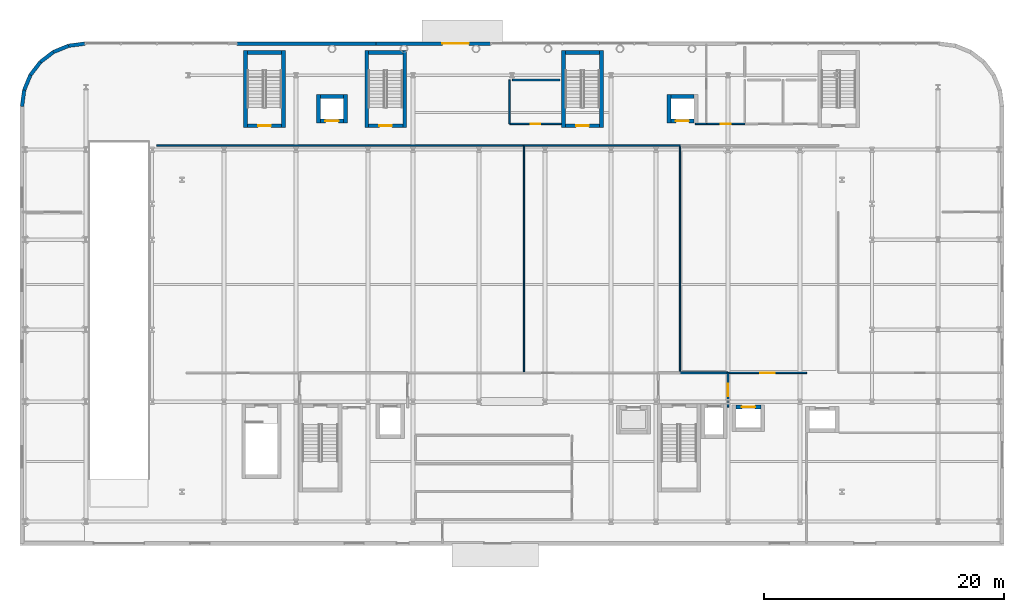
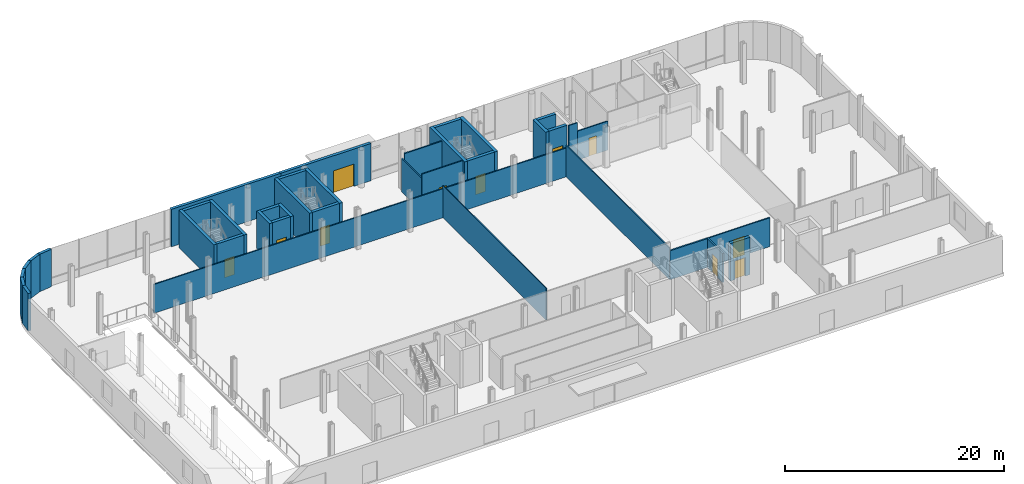
# One storey, part 19 of 28: 40 walls, 11 doors, 11 openings.
"""IFC4 building model written with IfcOpenShell, lengths in metres."""

import ifcopenshell
import ifcopenshell.guid

model = None  # the IFC model being written
_history = None  # IfcOwnerHistory: only IFC2X3 demands one
_inside = {}  # id of a spatial element -> (the spatial element, [elements in it])
_under = {}  # id of a project, library or spatial element -> (it, [spatial elements below it])
_declared = {}  # id of a project -> (the project, [libraries it declares])
_typed = {}  # id of a type object -> (the type object, [elements of that type])
_made_of = {}  # id of a material, layer set ... -> (it, [elements and type objects made of it])


def new_model(schema):
    """Start an empty IFC model of exactly this schema.

    Asked for "IFC4X3", IfcOpenShell would pick the latest addendum, in which some entities
    have other attributes; the version numbers below select the first issue.
    IFC2X3 requires an IfcOwnerHistory on every rooted entity: one is made here for all.
    """
    global model, _history
    if schema == "IFC4X3":
        model = ifcopenshell.file(schema_version=(4, 3, 0, 0))
    else:
        model = ifcopenshell.file(schema=schema)
    _inside.clear()
    _under.clear()
    _declared.clear()
    _typed.clear()
    _made_of.clear()
    _history = None
    if model.schema == "IFC2X3":
        org = make("IfcOrganization", Name="unknown")
        user = make(
            "IfcPersonAndOrganization",
            ThePerson=make("IfcPerson", FamilyName="unknown"),
            TheOrganization=org,
        )
        app = make(
            "IfcApplication",
            ApplicationDeveloper=org,
            Version="unknown",
            ApplicationFullName="unknown",
            ApplicationIdentifier="unknown",
        )
        _history = make(
            "IfcOwnerHistory",
            OwningUser=user,
            OwningApplication=app,
            ChangeAction="ADDED",
            CreationDate=0,
        )
    return model


def make(cls, **values):
    """One entity of the class cls with the attributes given. An attribute that is None is left unset."""
    return model.create_entity(
        cls, **{name: value for name, value in values.items() if value is not None}
    )


def rooted(cls, **values):
    """An entity with a GlobalId (a new one), such as an element, a storey or a relation."""
    return make(cls, GlobalId=ifcopenshell.guid.new(), OwnerHistory=_history, **values)


def si_unit(unit_type, name, prefix=None):
    """IfcSIUnit, for example si_unit("LENGTHUNIT", "METRE", prefix="MILLI")."""
    return make("IfcSIUnit", UnitType=unit_type, Prefix=prefix, Name=name)


def assignment(units):
    """IfcUnitAssignment: the units of a project."""
    return None if units is None else make("IfcUnitAssignment", Units=units)


def point(xyz):
    """IfcCartesianPoint."""
    return None if xyz is None else make("IfcCartesianPoint", Coordinates=xyz)


def direction(xyz):
    """IfcDirection."""
    return None if xyz is None else make("IfcDirection", DirectionRatios=xyz)


def frame(location, z_axis=None, x_axis=None):
    """IfcAxis2Placement3D, a coordinate frame: its origin and axes. An axis left out is left unset."""
    return make(
        "IfcAxis2Placement3D",
        Location=point(location),
        Axis=direction(z_axis),
        RefDirection=direction(x_axis),
    )


def frame_2d(location, x_axis=None):
    """IfcAxis2Placement2D, a coordinate frame in the plane: its origin and x axis."""
    return make(
        "IfcAxis2Placement2D", Location=point(location), RefDirection=direction(x_axis)
    )


def origin():
    """The frame at (0, 0, 0) with its axes left unset."""
    return frame((0.0, 0.0, 0.0))


def place(relative_to, where):
    """IfcLocalPlacement: puts the frame where relative to a parent placement (None: the world)."""
    return make(
        "IfcLocalPlacement", PlacementRelTo=relative_to, RelativePlacement=where
    )


def context(
    kind, dimensions, precision=None, world=None, true_north=None, identifier=None
):
    """IfcGeometricRepresentationContext, for example the 3D "Model" context."""
    return make(
        "IfcGeometricRepresentationContext",
        ContextIdentifier=identifier,
        ContextType=kind,
        CoordinateSpaceDimension=dimensions,
        Precision=precision,
        WorldCoordinateSystem=world,
        TrueNorth=true_north,
    )


def subcontext(parent, identifier, kind, view, scale=None):
    """IfcGeometricRepresentationSubContext, for example "Body" below "Model"."""
    return make(
        "IfcGeometricRepresentationSubContext",
        ContextIdentifier=identifier,
        ContextType=kind,
        ParentContext=parent,
        TargetScale=scale,
        TargetView=view,
    )


def project(units=None, contexts=None):
    """IfcProject with its units and contexts."""
    return rooted(
        "IfcProject",
        Name="project",
        RepresentationContexts=contexts,
        UnitsInContext=assignment(units),
    )


def spatial(cls, under=None, at=None, **own):
    """A site, building, storey or space (cls), placed at a placement, below another one or the project."""
    s = rooted(cls, ObjectPlacement=at, **own)
    if under is not None:
        _under.setdefault(under.id(), (under, []))[1].append(s)
    return s


def profile(cls, at=None, kind="AREA", **sizes):
    """A parametric profile (cls). Its sizes go by their IFC names, for example OverallWidth=200.0."""
    return make(cls, ProfileType=kind, Position=at, **sizes)


def rectangle(**sizes):
    """IfcRectangleProfileDef."""
    return profile("IfcRectangleProfileDef", **sizes)


def extrude(swept, where, along, depth):
    """IfcExtrudedAreaSolid: the profile swept, set in the frame where, extruded along a direction by depth."""
    return make(
        "IfcExtrudedAreaSolid",
        SweptArea=swept,
        Position=where,
        ExtrudedDirection=direction(along),
        Depth=depth,
    )


def shape(context_of_items, identifier, shape_type, items):
    """IfcShapeRepresentation: the items that make up one representation, for example the "Body"."""
    return make(
        "IfcShapeRepresentation",
        ContextOfItems=context_of_items,
        RepresentationIdentifier=identifier,
        RepresentationType=shape_type,
        Items=items,
    )


def material(Name=None, Category=None):
    """IfcMaterial."""
    return make("IfcMaterial", Name=Name, Category=Category)


def layer(
    of_material, thickness, ventilated=None, Name=None, Category=None, Priority=None
):
    """IfcMaterialLayer: one layer of a wall or slab, of a material (None: an air gap)."""
    return make(
        "IfcMaterialLayer",
        Material=of_material,
        LayerThickness=thickness,
        IsVentilated=ventilated,
        Name=Name,
        Category=Category,
        Priority=Priority,
    )


def layer_set(layers, Name=None):
    """IfcMaterialLayerSet."""
    return make("IfcMaterialLayerSet", MaterialLayers=layers, LayerSetName=Name)


def made_of(thing, what):
    """Note that an element or type object is made of a material, layer set ...; save() writes the relation."""
    if what is not None:
        _made_of.setdefault(what.id(), (what, []))[1].append(thing)
    return thing


def type_object(cls, material=None, **own):
    """A type object (cls), such as IfcWallType, which elements share."""
    return made_of(rooted(cls, **own), material)


def element(
    cls,
    number,
    at=None,
    inside=None,
    cuts=None,
    type_object=None,
    material=None,
    context=None,
    identifier="Body",
    shape_type=None,
    held_by="IfcProductDefinitionShape",
    body=None,
    shapes=None,
    **own,
):
    """One element of the class cls, such as IfcWall. Its Tag is "e" and its number.

    at: its placement. inside: the storey or other place that contains it. cuts: it is an
    opening in that element (IfcRelVoidsElement). A single representation is given by context,
    identifier, shape_type and body (its items); several are given by shapes. held_by: the class
    of the entity that holds the representations. save() writes the other relations.
    """
    e = rooted(cls, Tag="e%d" % number, ObjectPlacement=at, **own)
    if body is not None:
        shapes = [shape(context, identifier, shape_type, body)]
    if shapes is not None:
        e.Representation = make(held_by, Representations=shapes)
    if inside is not None:
        _inside.setdefault(inside.id(), (inside, []))[1].append(e)
    if cuts is not None:
        rooted(
            "IfcRelVoidsElement", RelatingBuildingElement=cuts, RelatedOpeningElement=e
        )
    if type_object is not None:
        _typed.setdefault(type_object.id(), (type_object, []))[1].append(e)
    return made_of(e, material)


def fill(opening, filler):
    """IfcRelFillsElement: the door or window that sits in an opening."""
    return rooted(
        "IfcRelFillsElement",
        RelatingOpeningElement=opening,
        RelatedBuildingElement=filler,
    )


def aggregate(whole, parts):
    """IfcRelAggregates: a whole, such as a stair, and the parts it consists of."""
    return rooted("IfcRelAggregates", RelatingObject=whole, RelatedObjects=parts)


def save(model, path):
    """Write the relations noted so far, then the file.

    IfcRelAggregates (storeys below a building ...), IfcRelContainedInSpatialStructure (elements
    in a storey), IfcRelDefinesByType, IfcRelAssociatesMaterial and IfcRelDeclares: one each for
    every whole, place, type object, material and project.
    """
    for whole, parts in _under.values():
        aggregate(whole, parts)
    for where, things in _inside.values():
        rooted(
            "IfcRelContainedInSpatialStructure",
            RelatedElements=things,
            RelatingStructure=where,
        )
    for kind, things in _typed.values():
        rooted("IfcRelDefinesByType", RelatedObjects=things, RelatingType=kind)
    for what, things in _made_of.values():
        rooted("IfcRelAssociatesMaterial", RelatedObjects=things, RelatingMaterial=what)
    for by, libraries in _declared.values():
        rooted("IfcRelDeclares", RelatingContext=by, RelatedDefinitions=libraries)
    model.write(path)


model = new_model("IFC4")

# Units and contexts
model_context = context("Model", 3, precision=1e-05, world=origin(), true_north=direction((0.0, 1.0)))
body_context = subcontext(model_context, "Body", "Model", "MODEL_VIEW")
ifc_project = project(units=[si_unit("LENGTHUNIT", "METRE"), si_unit("AREAUNIT", "SQUARE_METRE"), si_unit("VOLUMEUNIT", "CUBIC_METRE"), si_unit("PLANEANGLEUNIT", "RADIAN"), si_unit("MASSUNIT", "GRAM", prefix="KILO")], contexts=[model_context])

# Site, building, storey
site_placement = place(None, origin())
site = spatial("IfcSite", under=ifc_project, at=site_placement, CompositionType="ELEMENT")
building_placement = place(site_placement, origin())
building = spatial("IfcBuilding", under=site, at=building_placement, Name="Brevholm Reach", CompositionType="ELEMENT")
storey_placement = place(building_placement, origin())
storey = spatial("IfcBuildingStorey", under=building, at=storey_placement, Name="L00", CompositionType="ELEMENT", Elevation=0.0)

# Walls
ifc_material_1 = material(Name="Concrete C60/75", Category="concrete")
ifc_layer_1 = layer(ifc_material_1, 0.320068359375)
ifc_layer_set_1 = layer_set([ifc_layer_1], Name="Concrete C60/75")
wall_type_1 = type_object("IfcWallType", Name="WAL-COR-320", PredefinedType="SHEAR", material=ifc_layer_set_1)
for number, where, z_axis, x_axis, name in (
    (1, (7.7900390625, 32.830078125, 0.0), (0.0, 0.0, 1.0), (0.0, 1.0, 0.0), "L00 Escape Stair ST-S1 Core Wall W"),
    (2, (10.9599609375, 32.830078125, 0.0), (0.0, 0.0, 1.0), (0.0, 1.0, 0.0), "L00 Escape Stair ST-S1 Core Wall E"),
):
    element("IfcWall", number, at=place(storey_placement, frame(where, z_axis=z_axis, x_axis=x_axis)), inside=storey, type_object=wall_type_1, Name=name, PredefinedType="SHEAR", context=body_context, shape_type="SweptSolid", body=[
        extrude(rectangle(XDim=6.419921875, YDim=0.320068359375, at=frame_2d((3.2099609375, 0.0))), origin(), (0.0, 0.0, 1.0), 4.179931640625),
    ])

# Wall, opening, door
wall_1_placement = place(storey_placement, frame((7.949951171875, 32.989990234375, 0.0), z_axis=(0.0, 0.0, 1.0), x_axis=(1.0, 0.0, 0.0)))
wall_1 = element("IfcWall", 3, at=wall_1_placement, inside=storey, type_object=wall_type_1, Name="L00 Escape Stair ST-S1 Core Wall S", PredefinedType="SHEAR", context=body_context, shape_type="SweptSolid", body=[
    extrude(rectangle(XDim=2.85009765625, YDim=0.320068359375, at=frame_2d((1.425048828125, 0.0))), origin(), (0.0, 0.0, 1.0), 4.179931640625),
])
opening_1_placement = place(wall_1_placement, frame((0.89990234375, 0.0, 0.0)))
opening_1 = element("IfcOpeningElement", 4, at=opening_1_placement, cuts=wall_1, Name="Opening SD-ST-S1", PredefinedType="OPENING", context=body_context, shape_type="SweptSolid", body=[
    extrude(rectangle(XDim=1.050048828125, YDim=2.06005859375, at=frame_2d((0.52490234375, 1.030029296875))), frame((0.0, 0.169921875, 0.0), z_axis=(0.0, -1.0, 0.0), x_axis=(1.0, 0.0, 0.0)), (0.0, 0.0, 1.0), 0.340087890625),
])
ifc_material_2 = material(Name="Hardwood-Lipped Steel-Core Fire and Smoke Door", Category="steel")
door_type_1 = type_object("IfcDoorType", Name="DOR-INT-FD60S", OperationType="NOTDEFINED", PredefinedType="DOOR", material=ifc_material_2)
door_1_placement = place(opening_1_placement, origin())
door_1 = element("IfcDoor", 5, at=door_1_placement, inside=storey, type_object=door_type_1, Name="L00 Protected Stair ST-S1 Lobby Door", OperationType="SINGLE_SWING_LEFT", OverallHeight=2.06005859375, OverallWidth=1.050048828125, PredefinedType="DOOR", context=body_context, shape_type="SweptSolid", body=[
    extrude(rectangle(XDim=1.050048828125, YDim=2.06005859375, at=frame_2d((0.52490234375, 1.030029296875))), frame((0.0, 0.02490234375, 0.0), z_axis=(0.0, -1.0, 0.0), x_axis=(1.0, 0.0, 0.0)), (0.0, 0.0, 1.0), 0.050048828125),
])
fill(opening_1, door_1)

# Walls
wall_2_placement = place(storey_placement, frame((10.800048828125, 39.090087890625, 0.0), z_axis=(0.0, 0.0, 1.0), x_axis=(-1.0, 0.0, 0.0)))
element("IfcWall", 6, at=wall_2_placement, inside=storey, type_object=wall_type_1, Name="L00 Escape Stair ST-S1 Core Wall N", PredefinedType="SHEAR", context=body_context, shape_type="SweptSolid", body=[
    extrude(rectangle(XDim=2.85009765625, YDim=0.320068359375, at=frame_2d((1.425048828125, 0.0))), origin(), (0.0, 0.0, 1.0), 4.179931640625),
])
for number, where, z_axis, x_axis, name in (
    (7, (17.889892578125, 32.830078125, 0.0), (0.0, 0.0, 1.0), (0.0, 1.0, 0.0), "L00 Escape Stair ST-S2 Core Wall W"),
    (8, (21.06005859375, 32.830078125, 0.0), (0.0, 0.0, 1.0), (0.0, 1.0, 0.0), "L00 Escape Stair ST-S2 Core Wall E"),
):
    element("IfcWall", number, at=place(storey_placement, frame(where, z_axis=z_axis, x_axis=x_axis)), inside=storey, type_object=wall_type_1, Name=name, PredefinedType="SHEAR", context=body_context, shape_type="SweptSolid", body=[
        extrude(rectangle(XDim=6.419921875, YDim=0.320068359375, at=frame_2d((3.2099609375, 0.0))), origin(), (0.0, 0.0, 1.0), 4.179931640625),
    ])

# Wall, opening, door
wall_3_placement = place(storey_placement, frame((18.050048828125, 32.989990234375, 0.0), z_axis=(0.0, 0.0, 1.0), x_axis=(1.0, 0.0, 0.0)))
wall_3 = element("IfcWall", 9, at=wall_3_placement, inside=storey, type_object=wall_type_1, Name="L00 Escape Stair ST-S2 Core Wall S", PredefinedType="SHEAR", context=body_context, shape_type="SweptSolid", body=[
    extrude(rectangle(XDim=2.849853515625, YDim=0.320068359375, at=frame_2d((1.4248046875, 0.0))), origin(), (0.0, 0.0, 1.0), 4.179931640625),
])
opening_2_placement = place(wall_3_placement, frame((0.89990234375, 0.0, 0.0)))
opening_2 = element("IfcOpeningElement", 10, at=opening_2_placement, cuts=wall_3, Name="Opening SD-ST-S2", PredefinedType="OPENING", context=body_context, shape_type="SweptSolid", body=[
    extrude(rectangle(XDim=1.050048828125, YDim=2.06005859375, at=frame_2d((0.52490234375, 1.030029296875))), frame((0.0, 0.169921875, 0.0), z_axis=(0.0, -1.0, 0.0), x_axis=(1.0, 0.0, 0.0)), (0.0, 0.0, 1.0), 0.340087890625),
])
door_2_placement = place(opening_2_placement, origin())
door_2 = element("IfcDoor", 11, at=door_2_placement, inside=storey, type_object=door_type_1, Name="L00 Protected Stair ST-S2 Lobby Door", OperationType="SINGLE_SWING_LEFT", OverallHeight=2.06005859375, OverallWidth=1.050048828125, PredefinedType="DOOR", context=body_context, shape_type="SweptSolid", body=[
    extrude(rectangle(XDim=1.050048828125, YDim=2.06005859375, at=frame_2d((0.52490234375, 1.030029296875))), frame((0.0, 0.02490234375, 0.0), z_axis=(0.0, -1.0, 0.0), x_axis=(1.0, 0.0, 0.0)), (0.0, 0.0, 1.0), 0.050048828125),
])
fill(opening_2, door_2)

# Walls
wall_4_placement = place(storey_placement, frame((20.89990234375, 39.090087890625, 0.0), z_axis=(0.0, 0.0, 1.0), x_axis=(-1.0, 0.0, 0.0)))
element("IfcWall", 12, at=wall_4_placement, inside=storey, type_object=wall_type_1, Name="L00 Escape Stair ST-S2 Core Wall N", PredefinedType="SHEAR", context=body_context, shape_type="SweptSolid", body=[
    extrude(rectangle(XDim=2.849853515625, YDim=0.320068359375, at=frame_2d((1.4248046875, 0.0))), origin(), (0.0, 0.0, 1.0), 4.179931640625),
])
for number, where, z_axis, x_axis, name in (
    (13, (34.2900390625, 32.830078125, 0.0), (0.0, 0.0, 1.0), (0.0, 1.0, 0.0), "L00 Escape Stair ST-S3 Core Wall W"),
    (14, (37.4599609375, 32.830078125, 0.0), (0.0, 0.0, 1.0), (0.0, 1.0, 0.0), "L00 Escape Stair ST-S3 Core Wall E"),
):
    element("IfcWall", number, at=place(storey_placement, frame(where, z_axis=z_axis, x_axis=x_axis)), inside=storey, type_object=wall_type_1, Name=name, PredefinedType="SHEAR", context=body_context, shape_type="SweptSolid", body=[
        extrude(rectangle(XDim=6.419921875, YDim=0.320068359375, at=frame_2d((3.2099609375, 0.0))), origin(), (0.0, 0.0, 1.0), 4.179931640625),
    ])

# Wall, opening, door
wall_5_placement = place(storey_placement, frame((34.449951171875, 32.989990234375, 0.0), z_axis=(0.0, 0.0, 1.0), x_axis=(1.0, 0.0, 0.0)))
wall_5 = element("IfcWall", 15, at=wall_5_placement, inside=storey, type_object=wall_type_1, Name="L00 Escape Stair ST-S3 Core Wall S", PredefinedType="SHEAR", context=body_context, shape_type="SweptSolid", body=[
    extrude(rectangle(XDim=2.85009765625, YDim=0.320068359375, at=frame_2d((1.425048828125, 0.0))), origin(), (0.0, 0.0, 1.0), 4.179931640625),
])
opening_3_placement = place(wall_5_placement, frame((0.89990234375, 0.0, 0.0)))
opening_3 = element("IfcOpeningElement", 16, at=opening_3_placement, cuts=wall_5, Name="Opening SD-ST-S3", PredefinedType="OPENING", context=body_context, shape_type="SweptSolid", body=[
    extrude(rectangle(XDim=1.050048828125, YDim=2.06005859375, at=frame_2d((0.52490234375, 1.030029296875))), frame((0.0, 0.169921875, 0.0), z_axis=(0.0, -1.0, 0.0), x_axis=(1.0, 0.0, 0.0)), (0.0, 0.0, 1.0), 0.340087890625),
])
door_3_placement = place(opening_3_placement, origin())
door_3 = element("IfcDoor", 17, at=door_3_placement, inside=storey, type_object=door_type_1, Name="L00 Protected Stair ST-S3 Lobby Door", OperationType="SINGLE_SWING_LEFT", OverallHeight=2.06005859375, OverallWidth=1.050048828125, PredefinedType="DOOR", context=body_context, shape_type="SweptSolid", body=[
    extrude(rectangle(XDim=1.050048828125, YDim=2.06005859375, at=frame_2d((0.52490234375, 1.030029296875))), frame((0.0, 0.02490234375, 0.0), z_axis=(0.0, -1.0, 0.0), x_axis=(1.0, 0.0, 0.0)), (0.0, 0.0, 1.0), 0.050048828125),
])
fill(opening_3, door_3)

# Wall
wall_6_placement = place(storey_placement, frame((37.300048828125, 39.090087890625, 0.0), z_axis=(0.0, 0.0, 1.0), x_axis=(-1.0, 0.0, 0.0)))
element("IfcWall", 18, at=wall_6_placement, inside=storey, type_object=wall_type_1, Name="L00 Escape Stair ST-S3 Core Wall N", PredefinedType="SHEAR", context=body_context, shape_type="SweptSolid", body=[
    extrude(rectangle(XDim=2.85009765625, YDim=0.320068359375, at=frame_2d((1.425048828125, 0.0))), origin(), (0.0, 0.0, 1.0), 4.179931640625),
])

# Wall, opening, door
wall_7_placement = place(storey_placement, frame((48.6650390625, 9.544921875, 0.0), z_axis=(0.0, 0.0, 1.0), x_axis=(1.0, 0.0, 0.0)))
wall_7 = element("IfcWall", 19, at=wall_7_placement, inside=storey, type_object=wall_type_1, Name="L00 Lift PL-L1 Shaft Wall N", PredefinedType="SHEAR", context=body_context, shape_type="SweptSolid", body=[
    extrude(rectangle(XDim=2.070068359375, YDim=0.320068359375, at=frame_2d((1.03515625, 0.0))), origin(), (0.0, 0.0, 1.0), 4.179931640625),
])
opening_4_placement = place(wall_7_placement, frame((0.485107421875, 0.0, 0.0)))
opening_4 = element("IfcOpeningElement", 20, at=opening_4_placement, cuts=wall_7, Name="Opening LD-PL-L1", PredefinedType="OPENING", context=body_context, shape_type="SweptSolid", body=[
    extrude(rectangle(XDim=1.10009765625, YDim=2.06005859375, at=frame_2d((0.550048828125, 1.030029296875))), frame((0.0, 0.169921875, 0.0), z_axis=(0.0, -1.0, 0.0), x_axis=(1.0, 0.0, 0.0)), (0.0, 0.0, 1.0), 0.340087890625),
])
ifc_material_3 = material(Name="Brushed Stainless Steel Fire-Rated Sliding Lift Door", Category="steel")
door_type_2 = type_object("IfcDoorType", Name="DOR-LFT-1100", OperationType="NOTDEFINED", PredefinedType="DOOR", material=ifc_material_3)
door_4_placement = place(opening_4_placement, origin())
door_4 = element("IfcDoor", 21, at=door_4_placement, inside=storey, type_object=door_type_2, Name="L00 Lift PL-L1 Sliding Landing Door", OperationType="SLIDING_TO_RIGHT", OverallHeight=2.06005859375, OverallWidth=1.10009765625, PredefinedType="DOOR", context=body_context, shape_type="SweptSolid", body=[
    extrude(rectangle(XDim=1.10009765625, YDim=2.06005859375, at=frame_2d((0.550048828125, 1.030029296875))), frame((0.0, 0.02490234375, 0.0), z_axis=(0.0, -1.0, 0.0), x_axis=(1.0, 0.0, 0.0)), (0.0, 0.0, 1.0), 0.050048828125),
])
fill(opening_4, door_4)

# Walls
for number, where, z_axis, x_axis, name in (
    (22, (13.8798828125, 33.219970703125, 0.0), (0.0, 0.0, 1.0), (0.0, 1.0, 0.0), "L00 Lift SL-1 Shaft Wall W"),
    (23, (16.1201171875, 33.219970703125, 0.0), (0.0, 0.0, 1.0), (0.0, 1.0, 0.0), "L00 Lift SL-1 Shaft Wall E"),
):
    element("IfcWall", number, at=place(storey_placement, frame(where, z_axis=z_axis, x_axis=x_axis)), inside=storey, type_object=wall_type_1, Name=name, PredefinedType="SHEAR", context=body_context, shape_type="SweptSolid", body=[
        extrude(rectangle(XDim=2.360107421875, YDim=0.320068359375, at=frame_2d((1.18017578125, 0.0))), origin(), (0.0, 0.0, 1.0), 4.179931640625),
    ])

# Wall, opening, door
wall_8_placement = place(storey_placement, frame((14.0400390625, 33.3798828125, 0.0), z_axis=(0.0, 0.0, 1.0), x_axis=(1.0, 0.0, 0.0)))
wall_8 = element("IfcWall", 24, at=wall_8_placement, inside=storey, type_object=wall_type_1, Name="L00 Lift SL-1 Shaft Wall S", PredefinedType="SHEAR", context=body_context, shape_type="SweptSolid", body=[
    extrude(rectangle(XDim=1.919921875, YDim=0.320068359375, at=frame_2d((0.9599609375, 0.0))), origin(), (0.0, 0.0, 1.0), 4.179931640625),
])
opening_5_placement = place(wall_8_placement, frame((0.409912109375, 0.0, 0.0)))
opening_5 = element("IfcOpeningElement", 25, at=opening_5_placement, cuts=wall_8, Name="Opening LD-SL-1", PredefinedType="OPENING", context=body_context, shape_type="SweptSolid", body=[
    extrude(rectangle(XDim=1.10009765625, YDim=2.06005859375, at=frame_2d((0.550048828125, 1.030029296875))), frame((0.0, 0.169921875, 0.0), z_axis=(0.0, -1.0, 0.0), x_axis=(1.0, 0.0, 0.0)), (0.0, 0.0, 1.0), 0.340087890625),
])
door_5_placement = place(opening_5_placement, origin())
door_5 = element("IfcDoor", 26, at=door_5_placement, inside=storey, type_object=door_type_2, Name="L00 Lift SL-1 Sliding Landing Door", OperationType="SLIDING_TO_RIGHT", OverallHeight=2.06005859375, OverallWidth=1.10009765625, PredefinedType="DOOR", context=body_context, shape_type="SweptSolid", body=[
    extrude(rectangle(XDim=1.10009765625, YDim=2.06005859375, at=frame_2d((0.550048828125, 1.030029296875))), frame((0.0, 0.02490234375, 0.0), z_axis=(0.0, -1.0, 0.0), x_axis=(1.0, 0.0, 0.0)), (0.0, 0.0, 1.0), 0.050048828125),
])
fill(opening_5, door_5)

# Walls
wall_9_placement = place(storey_placement, frame((14.0400390625, 35.419921875, 0.0), z_axis=(0.0, 0.0, 1.0), x_axis=(1.0, 0.0, 0.0)))
element("IfcWall", 27, at=wall_9_placement, inside=storey, type_object=wall_type_1, Name="L00 Lift SL-1 Shaft Wall N", PredefinedType="SHEAR", context=body_context, shape_type="SweptSolid", body=[
    extrude(rectangle(XDim=1.919921875, YDim=0.320068359375, at=frame_2d((0.9599609375, 0.0))), origin(), (0.0, 0.0, 1.0), 4.179931640625),
])
wall_10_placement = place(storey_placement, frame((43.080078125, 33.219970703125, 0.0), z_axis=(0.0, 0.0, 1.0), x_axis=(0.0, 1.0, 0.0)))
element("IfcWall", 28, at=wall_10_placement, inside=storey, type_object=wall_type_1, Name="L00 Lift SL-2 Shaft Wall W", PredefinedType="SHEAR", context=body_context, shape_type="SweptSolid", body=[
    extrude(rectangle(XDim=2.360107421875, YDim=0.320068359375, at=frame_2d((1.18017578125, 0.0))), origin(), (0.0, 0.0, 1.0), 4.179931640625),
])

# Wall, opening, door
wall_11_placement = place(storey_placement, frame((43.239990234375, 33.3798828125, 0.0), z_axis=(0.0, 0.0, 1.0), x_axis=(1.0, 0.0, 0.0)))
wall_11 = element("IfcWall", 29, at=wall_11_placement, inside=storey, type_object=wall_type_1, Name="L00 Lift SL-2 Shaft Wall S", PredefinedType="SHEAR", context=body_context, shape_type="SweptSolid", body=[
    extrude(rectangle(XDim=1.919921875, YDim=0.320068359375, at=frame_2d((0.9599609375, 0.0))), origin(), (0.0, 0.0, 1.0), 4.179931640625),
])
opening_6_placement = place(wall_11_placement, frame((0.409912109375, 0.0, 0.0)))
opening_6 = element("IfcOpeningElement", 30, at=opening_6_placement, cuts=wall_11, Name="Opening LD-SL-2", PredefinedType="OPENING", context=body_context, shape_type="SweptSolid", body=[
    extrude(rectangle(XDim=1.10009765625, YDim=2.06005859375, at=frame_2d((0.550048828125, 1.030029296875))), frame((0.0, 0.169921875, 0.0), z_axis=(0.0, -1.0, 0.0), x_axis=(1.0, 0.0, 0.0)), (0.0, 0.0, 1.0), 0.340087890625),
])
door_6_placement = place(opening_6_placement, origin())
door_6 = element("IfcDoor", 31, at=door_6_placement, inside=storey, type_object=door_type_2, Name="L00 Lift SL-2 Sliding Landing Door", OperationType="SLIDING_TO_LEFT", OverallHeight=2.06005859375, OverallWidth=1.10009765625, PredefinedType="DOOR", context=body_context, shape_type="SweptSolid", body=[
    extrude(rectangle(XDim=1.10009765625, YDim=2.06005859375, at=frame_2d((0.550048828125, 1.030029296875))), frame((0.0, 0.02490234375, 0.0), z_axis=(0.0, -1.0, 0.0), x_axis=(1.0, 0.0, 0.0)), (0.0, 0.0, 1.0), 0.050048828125),
])
fill(opening_6, door_6)

# Walls
wall_12_placement = place(storey_placement, frame((43.239990234375, 35.419921875, 0.0), z_axis=(0.0, 0.0, 1.0), x_axis=(1.0, 0.0, 0.0)))
element("IfcWall", 32, at=wall_12_placement, inside=storey, type_object=wall_type_1, Name="L00 Lift SL-2 Shaft Wall N", PredefinedType="SHEAR", context=body_context, shape_type="SweptSolid", body=[
    extrude(rectangle(XDim=1.919921875, YDim=0.320068359375, at=frame_2d((0.9599609375, 0.0))), origin(), (0.0, 0.0, 1.0), 4.179931640625),
])
ifc_material_4 = material(Name="Concrete C40/50", Category="concrete")
ifc_layer_2 = layer(ifc_material_4, 0.300048828125)
ifc_layer_set_2 = layer_set([ifc_layer_2], Name="Concrete C40/50")
wall_type_2 = type_object("IfcWallType", Name="WAL-EXT-300", PredefinedType="STANDARD", material=ifc_layer_set_2)
wall_13_placement = place(storey_placement, frame((-10.830078125, 34.60009765625, 0.0), z_axis=(0.0, 0.0, 1.0), x_axis=(0.13054703207, 0.991442117533, 0.0)))
element("IfcWall", 33, at=wall_13_placement, inside=storey, type_object=wall_type_2, Name="L00 Facade Wall WAL-L00-NWP-1", PredefinedType="STANDARD", context=body_context, shape_type="SweptSolid", body=[
    extrude(rectangle(XDim=1.365234375, YDim=0.300048828125, at=frame_2d((0.6826171875, 0.0))), origin(), (0.0, 0.0, 1.0), 4.179931640625),
])
wall_14_placement = place(storey_placement, frame((-10.65185546875, 35.95361328125, 0.0), z_axis=(0.0, 0.0, 1.0), x_axis=(0.382646577594, 0.923894797396, 0.0)))
element("IfcWall", 34, at=wall_14_placement, inside=storey, type_object=wall_type_2, Name="L00 Facade Wall WAL-L00-NWP-2", PredefinedType="STANDARD", context=body_context, shape_type="SweptSolid", body=[
    extrude(rectangle(XDim=1.365478515625, YDim=0.300048828125, at=frame_2d((0.6826171875, 0.0))), origin(), (0.0, 0.0, 1.0), 4.179931640625),
])
for number, where, z_axis, x_axis, name in (
    (35, (-10.12939453125, 37.215087890625, 0.0), (0.0, 0.0, 1.0), (0.6088894473, 0.793255091989, 0.0), "L00 Facade Wall WAL-L00-NWP-3"),
    (36, (-9.298095703125, 38.298095703125, 0.0), (0.0, 0.0, 1.0), (0.793255091989, 0.6088894473, 0.0), "L00 Facade Wall WAL-L00-NWP-4"),
):
    element("IfcWall", number, at=place(storey_placement, frame(where, z_axis=z_axis, x_axis=x_axis)), inside=storey, type_object=wall_type_2, Name=name, PredefinedType="STANDARD", context=body_context, shape_type="SweptSolid", body=[
        extrude(rectangle(XDim=1.365234375, YDim=0.300048828125, at=frame_2d((0.6826171875, 0.0))), origin(), (0.0, 0.0, 1.0), 4.179931640625),
    ])
wall_15_placement = place(storey_placement, frame((-8.215087890625, 39.12939453125, 0.0), z_axis=(0.0, 0.0, 1.0), x_axis=(0.923894797396, 0.382646577594, 0.0)))
element("IfcWall", 37, at=wall_15_placement, inside=storey, type_object=wall_type_2, Name="L00 Facade Wall WAL-L00-NWP-5", PredefinedType="STANDARD", context=body_context, shape_type="SweptSolid", body=[
    extrude(rectangle(XDim=1.365478515625, YDim=0.300048828125, at=frame_2d((0.6826171875, 0.0))), origin(), (0.0, 0.0, 1.0), 4.179931640625),
])
wall_16_placement = place(storey_placement, frame((-6.95361328125, 39.65185546875, 0.0), z_axis=(0.0, 0.0, 1.0), x_axis=(0.991442117533, 0.13054703207, 0.0)))
element("IfcWall", 38, at=wall_16_placement, inside=storey, type_object=wall_type_2, Name="L00 Facade Wall WAL-L00-NWP-6", PredefinedType="STANDARD", context=body_context, shape_type="SweptSolid", body=[
    extrude(rectangle(XDim=1.365234375, YDim=0.300048828125, at=frame_2d((0.6826171875, 0.0))), origin(), (0.0, 0.0, 1.0), 4.179931640625),
])
wall_17_placement = place(storey_placement, frame((7.10009765625, 39.830078125, 0.0), z_axis=(0.0, 0.0, 1.0), x_axis=(1.0, 0.0, 0.0)))
element("IfcWall", 39, at=wall_17_placement, inside=storey, type_object=wall_type_2, Name="L00 Facade Wall WAL-L00-NPW", PredefinedType="STANDARD", context=body_context, shape_type="SweptSolid", body=[
    extrude(rectangle(XDim=11.5498046875, YDim=0.300048828125, at=frame_2d((5.77490234375, 0.0))), origin(), (0.0, 0.0, 1.0), 4.179931640625),
])

# Wall, opening, door
wall_18_placement = place(storey_placement, frame((18.64990234375, 39.830078125, 0.0), z_axis=(0.0, 0.0, 1.0), x_axis=(1.0, 0.0, 0.0)))
wall_18 = element("IfcWall", 40, at=wall_18_placement, inside=storey, type_object=wall_type_2, Name="L00 Facade Wall WAL-L00-N-ENT", PredefinedType="STANDARD", context=body_context, shape_type="SweptSolid", body=[
    extrude(rectangle(XDim=9.550048828125, YDim=0.300048828125, at=frame_2d((4.77490234375, 0.0))), origin(), (0.0, 0.0, 1.0), 4.179931640625),
])
opening_7_placement = place(wall_18_placement, frame((5.550048828125, 0.0, 0.0)))
opening_7 = element("IfcOpeningElement", 41, at=opening_7_placement, cuts=wall_18, Name="Opening ED-01", PredefinedType="OPENING", context=body_context, shape_type="SweptSolid", body=[
    extrude(rectangle(XDim=2.199951171875, YDim=2.5, at=frame_2d((1.10009765625, 1.25))), frame((0.0, 0.159912109375, 0.0), z_axis=(0.0, -1.0, 0.0), x_axis=(1.0, 0.0, 0.0)), (0.0, 0.0, 1.0), 0.320068359375),
])
ifc_material_5 = material(Name="Bronze-Anodised Aluminium and Laminated Glass", Category="aluminium")
door_type_3 = type_object("IfcDoorType", Name="DOR-EXT-FOY", OperationType="NOTDEFINED", PredefinedType="DOOR", material=ifc_material_5)
door_7_placement = place(opening_7_placement, origin())
door_7 = element("IfcDoor", 42, at=door_7_placement, inside=storey, type_object=door_type_3, Name="L00 Exterior Door DOR-L00-SCH-ENT", OperationType="DOUBLE_DOOR_SINGLE_SWING", OverallHeight=2.5, OverallWidth=2.199951171875, PredefinedType="DOOR", context=body_context, shape_type="SweptSolid", body=[
    extrude(rectangle(XDim=2.199951171875, YDim=2.5, at=frame_2d((1.10009765625, 1.25))), frame((0.0, 0.02490234375, 0.0), z_axis=(0.0, -1.0, 0.0), x_axis=(1.0, 0.0, 0.0)), (0.0, 0.0, 1.0), 0.050048828125),
])
fill(opening_7, door_7)

# Walls
ifc_material_6 = material(Name="Moisture-Resistant Acoustic Gypsum Stud Partition 100 mm", Category="gypsum")
ifc_layer_3 = layer(ifc_material_6, 0.10009765625)
ifc_layer_set_3 = layer_set([ifc_layer_3], Name="Moisture-Resistant Acoustic Gypsum Stud Partition 100 mm")
wall_type_3 = type_object("IfcWallType", Name="WAL-PRT-100", PredefinedType="PARTITIONING", material=ifc_layer_set_3)
for number, where, z_axis, x_axis, name in (
    (43, (31.0, 12.404052734375, 0.0), (0.0, 0.0, 1.0), (0.0, 1.0, 0.0), "L00 Internal Partition 040"),
    (44, (44.0, 12.404052734375, 0.0), (0.0, 0.0, 1.0), (0.0, 1.0, 0.0), "L00 Internal Partition 041"),
):
    element("IfcWall", number, at=place(storey_placement, frame(where, z_axis=z_axis, x_axis=x_axis)), inside=storey, type_object=wall_type_3, Name=name, PredefinedType="PARTITIONING", context=body_context, shape_type="SweptSolid", body=[
        extrude(rectangle(XDim=18.94189453125, YDim=0.10009765625, at=frame_2d((9.470947265625, 0.0))), origin(), (0.0, 0.0, 1.0), 3.542724609375),
    ])

# Wall, opening, door
ifc_material_7 = material(Name="Acoustic Fire-Rated Classroom Gypsum Partition 120 mm", Category="gypsum")
ifc_layer_4 = layer(ifc_material_7, 0.1201171875)
ifc_layer_set_4 = layer_set([ifc_layer_4], Name="Acoustic Fire-Rated Classroom Gypsum Partition 120 mm")
wall_type_4 = type_object("IfcWallType", Name="WAL-PRT-120", PredefinedType="PARTITIONING", material=ifc_layer_set_4)
wall_19_placement = place(storey_placement, frame((48.00390625, 12.39990234375, 0.0), z_axis=(0.0, 0.0, 1.0), x_axis=(1.0, 0.0, 0.0)))
wall_19 = element("IfcWall", 45, at=wall_19_placement, inside=storey, type_object=wall_type_4, Name="L00 Internal Partition 019", PredefinedType="PARTITIONING", context=body_context, shape_type="SweptSolid", body=[
    extrude(rectangle(XDim=6.546142578125, YDim=0.1201171875, at=frame_2d((3.27294921875, 0.0))), origin(), (0.0, 0.0, 1.0), 3.228515625),
])
opening_8_placement = place(wall_19_placement, frame((2.673095703125, 0.0, 0.0)))
opening_8 = element("IfcOpeningElement", 46, at=opening_8_placement, cuts=wall_19, Name="Opening ID-SC", PredefinedType="OPENING", context=body_context, shape_type="SweptSolid", body=[
    extrude(rectangle(XDim=1.199951171875, YDim=2.080078125, at=frame_2d((0.60009765625, 1.0400390625))), frame((0.0, 0.070068359375, 0.0), z_axis=(0.0, -1.0, 0.0), x_axis=(1.0, 0.0, 0.0)), (0.0, 0.0, 1.0), 0.14013671875),
])
ifc_material_8 = material(Name="Acoustic European Oak Classroom Vision-Panel Fire Door", Category="timber")
door_type_4 = type_object("IfcDoorType", Name="DOR-SCH-1200", OperationType="NOTDEFINED", PredefinedType="DOOR", material=ifc_material_8)
door_8_placement = place(opening_8_placement, origin())
door_8 = element("IfcDoor", 47, at=door_8_placement, inside=storey, type_object=door_type_4, Name="L00 Internal Door 011", OperationType="SINGLE_SWING_RIGHT", OverallHeight=2.080078125, OverallWidth=1.199951171875, PredefinedType="DOOR", context=body_context, shape_type="SweptSolid", body=[
    extrude(rectangle(XDim=1.199951171875, YDim=2.080078125, at=frame_2d((0.60009765625, 1.0400390625))), frame((0.0, 0.02490234375, 0.0), z_axis=(0.0, -1.0, 0.0), x_axis=(1.0, 0.0, 0.0)), (0.0, 0.0, 1.0), 0.050048828125),
])
fill(opening_8, door_8)

wall_20_placement = place(storey_placement, frame((29.792724609375, 33.14990234375, 0.0), z_axis=(0.0, 0.0, 1.0), x_axis=(1.0, 0.0, 0.0)))
wall_20 = element("IfcWall", 48, at=wall_20_placement, inside=storey, type_object=wall_type_4, Name="L00 Internal Partition 026", PredefinedType="PARTITIONING", context=body_context, shape_type="SweptSolid", body=[
    extrude(rectangle(XDim=4.327392578125, YDim=0.1201171875, at=frame_2d((2.16357421875, 0.0))), origin(), (0.0, 0.0, 1.0), 4.179931640625),
])
opening_9_placement = place(wall_20_placement, frame((1.753662109375, 0.0, 0.0)))
opening_9 = element("IfcOpeningElement", 49, at=opening_9_placement, cuts=wall_20, Name="Opening ID-02", PredefinedType="OPENING", context=body_context, shape_type="SweptSolid", body=[
    extrude(rectangle(XDim=0.820068359375, YDim=2.02001953125, at=frame_2d((0.41015625, 1.010009765625))), frame((0.0, 0.070068359375, 0.0), z_axis=(0.0, -1.0, 0.0), x_axis=(1.0, 0.0, 0.0)), (0.0, 0.0, 1.0), 0.14013671875),
])
ifc_material_9 = material(Name="Moisture-Resistant Painted Timber Fire-Rated Riser and Service Door", Category="wood")
door_type_5 = type_object("IfcDoorType", Name="DOR-SRV-820", OperationType="NOTDEFINED", PredefinedType="DOOR", material=ifc_material_9)
door_9_placement = place(opening_9_placement, origin())
door_9 = element("IfcDoor", 50, at=door_9_placement, inside=storey, type_object=door_type_5, Name="L00 Internal Door 014", OperationType="SINGLE_SWING_LEFT", OverallHeight=2.02001953125, OverallWidth=0.820068359375, PredefinedType="DOOR", context=body_context, shape_type="SweptSolid", body=[
    extrude(rectangle(XDim=0.820068359375, YDim=2.02001953125, at=frame_2d((0.41015625, 1.010009765625))), frame((0.0, 0.02490234375, 0.0), z_axis=(0.0, -1.0, 0.0), x_axis=(1.0, 0.0, 0.0)), (0.0, 0.0, 1.0), 0.050048828125),
])
fill(opening_9, door_9)

# Wall
wall_21_placement = place(storey_placement, frame((45.272705078125, 33.14990234375, 0.0), z_axis=(0.0, 0.0, 1.0), x_axis=(1.0, 0.0, 0.0)))
element("IfcWall", 51, at=wall_21_placement, inside=storey, type_object=wall_type_4, Name="L00 Internal Partition 027", PredefinedType="PARTITIONING", context=body_context, shape_type="SweptSolid", body=[
    extrude(rectangle(XDim=0.9384765625, YDim=0.1201171875, at=frame_2d((0.46923828125, 0.0))), origin(), (0.0, 0.0, 1.0), 4.179931640625),
])

# Wall, opening, door
wall_22_placement = place(storey_placement, frame((46.192626953125, 33.14990234375, 0.0), z_axis=(0.0, 0.0, 1.0), x_axis=(1.0, 0.0, 0.0)))
wall_22 = element("IfcWall", 52, at=wall_22_placement, inside=storey, type_object=wall_type_4, Name="L00 Internal Partition 028", PredefinedType="PARTITIONING", context=body_context, shape_type="SweptSolid", body=[
    extrude(rectangle(XDim=3.21875, YDim=0.1201171875, at=frame_2d((1.609375, 0.0))), origin(), (0.0, 0.0, 1.0), 3.228515625),
])
opening_10_placement = place(wall_22_placement, frame((1.19921875, 0.0, 0.0)))
opening_10 = element("IfcOpeningElement", 53, at=opening_10_placement, cuts=wall_22, Name="Opening ID-02", PredefinedType="OPENING", context=body_context, shape_type="SweptSolid", body=[
    extrude(rectangle(XDim=0.820068359375, YDim=2.02001953125, at=frame_2d((0.41015625, 1.010009765625))), frame((0.0, 0.070068359375, 0.0), z_axis=(0.0, -1.0, 0.0), x_axis=(1.0, 0.0, 0.0)), (0.0, 0.0, 1.0), 0.14013671875),
])
door_10_placement = place(opening_10_placement, origin())
door_10 = element("IfcDoor", 54, at=door_10_placement, inside=storey, type_object=door_type_5, Name="L00 Internal Door 015", OperationType="SINGLE_SWING_RIGHT", OverallHeight=2.02001953125, OverallWidth=0.820068359375, PredefinedType="DOOR", context=body_context, shape_type="SweptSolid", body=[
    extrude(rectangle(XDim=0.820068359375, YDim=2.02001953125, at=frame_2d((0.41015625, 1.010009765625))), frame((0.0, 0.02490234375, 0.0), z_axis=(0.0, -1.0, 0.0), x_axis=(1.0, 0.0, 0.0)), (0.0, 0.0, 1.0), 0.050048828125),
])
fill(opening_10, door_10)

# Walls
wall_23_placement = place(storey_placement, frame((0.388671875, 31.35009765625, 0.0), z_axis=(0.0, 0.0, 1.0), x_axis=(1.0, 0.0, 0.0)))
element("IfcWall", 55, at=wall_23_placement, inside=storey, type_object=wall_type_4, Name="L00 Internal Partition 032", PredefinedType="PARTITIONING", context=body_context, shape_type="SweptSolid", body=[
    extrude(rectangle(XDim=30.62255859375, YDim=0.1201171875, at=frame_2d((15.311279296875, 0.0))), origin(), (0.0, 0.0, 1.0), 3.228515625),
])
wall_24_placement = place(storey_placement, frame((30.99267578125, 31.35009765625, 0.0), z_axis=(0.0, 0.0, 1.0), x_axis=(1.0, 0.0, 0.0)))
element("IfcWall", 56, at=wall_24_placement, inside=storey, type_object=wall_type_4, Name="L00 Internal Partition 033", PredefinedType="PARTITIONING", context=body_context, shape_type="SweptSolid", body=[
    extrude(rectangle(XDim=13.0185546875, YDim=0.1201171875, at=frame_2d((6.50927734375, 0.0))), origin(), (0.0, 0.0, 1.0), 3.228515625),
])
wall_25_placement = place(storey_placement, frame((29.800048828125, 33.154052734375, 0.0), z_axis=(0.0, 0.0, 1.0), x_axis=(0.0, 1.0, 0.0)))
element("IfcWall", 57, at=wall_25_placement, inside=storey, type_object=wall_type_4, Name="L00 Internal Partition 036", PredefinedType="PARTITIONING", context=body_context, shape_type="SweptSolid", body=[
    extrude(rectangle(XDim=3.6572265625, YDim=0.1201171875, at=frame_2d((1.82861328125, 0.0))), origin(), (0.0, 0.0, 1.0), 3.697998046875),
])
ifc_material_10 = material(Name="Twin-Stud Acoustic Fire-Rated Gypsum Partition 140 mm", Category="gypsum")
ifc_layer_5 = layer(ifc_material_10, 0.139892578125)
ifc_layer_set_5 = layer_set([ifc_layer_5], Name="Twin-Stud Acoustic Fire-Rated Gypsum Partition 140 mm")
wall_type_5 = type_object("IfcWallType", Name="WAL-PRT-140", PredefinedType="PARTITIONING", material=ifc_layer_set_5)
wall_26_placement = place(storey_placement, frame((30.0400390625, 36.800048828125, 0.0), z_axis=(0.0, 0.0, 1.0), x_axis=(1.0, 0.0, 0.0)))
element("IfcWall", 58, at=wall_26_placement, inside=storey, type_object=wall_type_5, Name="L00 Internal Partition 045", PredefinedType="PARTITIONING", context=body_context, shape_type="SweptSolid", body=[
    extrude(rectangle(XDim=3.93994140625, YDim=0.139892578125, at=frame_2d((1.969970703125, 0.0))), origin(), (0.0, 0.0, 1.0), 4.179931640625),
])

# Wall, opening, door
ifc_material_11 = material(Name="Twin-Frame Fire-Rated Gypsum Board and Mineral Wool 160 mm", Category="gypsum")
ifc_layer_6 = layer(ifc_material_11, 0.159912109375)
ifc_layer_set_6 = layer_set([ifc_layer_6], Name="Twin-Frame Fire-Rated Gypsum Board and Mineral Wool 160 mm")
wall_type_6 = type_object("IfcWallType", Name="WAL-PRT-160", PredefinedType="PARTITIONING", material=ifc_layer_set_6)
wall_27_placement = place(storey_placement, frame((48.0, 9.538818359375, 0.0), z_axis=(0.0, 0.0, 1.0), x_axis=(0.0, 1.0, 0.0)))
wall_27 = element("IfcWall", 59, at=wall_27_placement, inside=storey, type_object=wall_type_6, Name="L00 Internal Partition 013", PredefinedType="PARTITIONING", context=body_context, shape_type="SweptSolid", body=[
    extrude(rectangle(XDim=2.861083984375, YDim=0.159912109375, at=frame_2d((1.4306640625, 0.0))), origin(), (0.0, 0.0, 1.0), 3.228515625),
])
opening_11_placement = place(wall_27_placement, frame((0.905517578125, 0.0, 0.0)))
opening_11 = element("IfcOpeningElement", 60, at=opening_11_placement, cuts=wall_27, Name="Opening FD-01", PredefinedType="OPENING", context=body_context, shape_type="SweptSolid", body=[
    extrude(rectangle(XDim=1.050048828125, YDim=2.06005859375, at=frame_2d((0.52490234375, 1.030029296875))), frame((0.0, 0.08984375, 0.0), z_axis=(0.0, -1.0, 0.0), x_axis=(1.0, 0.0, 0.0)), (0.0, 0.0, 1.0), 0.179931640625),
])
door_11_placement = place(opening_11_placement, origin())
door_11 = element("IfcDoor", 61, at=door_11_placement, inside=storey, type_object=door_type_1, Name="L00 Internal Door 007", OperationType="SINGLE_SWING_RIGHT", OverallHeight=2.06005859375, OverallWidth=1.050048828125, PredefinedType="DOOR", context=body_context, shape_type="SweptSolid", body=[
    extrude(rectangle(XDim=1.050048828125, YDim=2.06005859375, at=frame_2d((0.52490234375, 1.030029296875))), frame((0.0, 0.02490234375, 0.0), z_axis=(0.0, -1.0, 0.0), x_axis=(1.0, 0.0, 0.0)), (0.0, 0.0, 1.0), 0.050048828125),
])
fill(opening_11, door_11)

# Wall
wall_28_placement = place(storey_placement, frame((43.99267578125, 12.39990234375, 0.0), z_axis=(0.0, 0.0, 1.0), x_axis=(1.0, 0.0, 0.0)))
element("IfcWall", 62, at=wall_28_placement, inside=storey, type_object=wall_type_6, Name="L00 Internal Partition 016", PredefinedType="PARTITIONING", context=body_context, shape_type="SweptSolid", body=[
    extrude(rectangle(XDim=4.00732421875, YDim=0.159912109375, at=frame_2d((2.003662109375, 0.0))), origin(), (0.0, 0.0, 1.0), 3.228515625),
])

save(model, "model.ifc")
